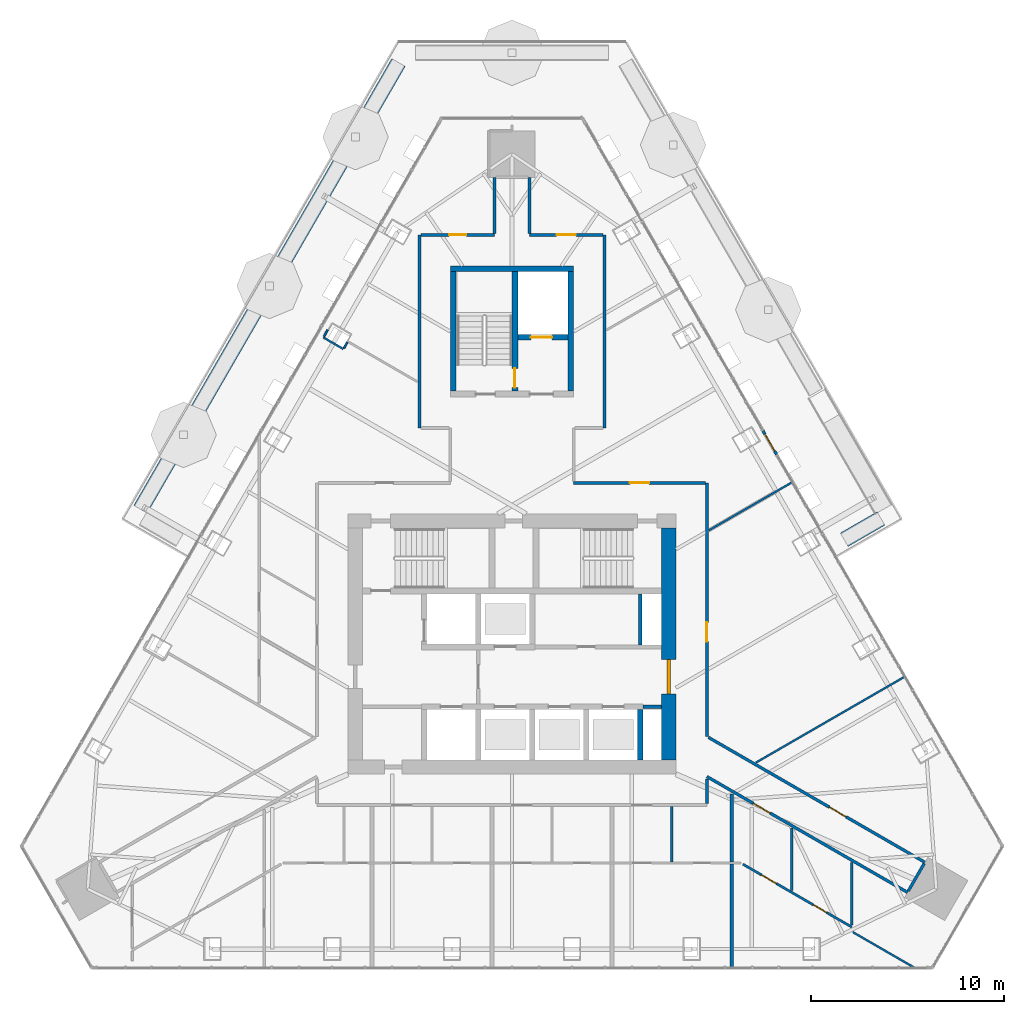
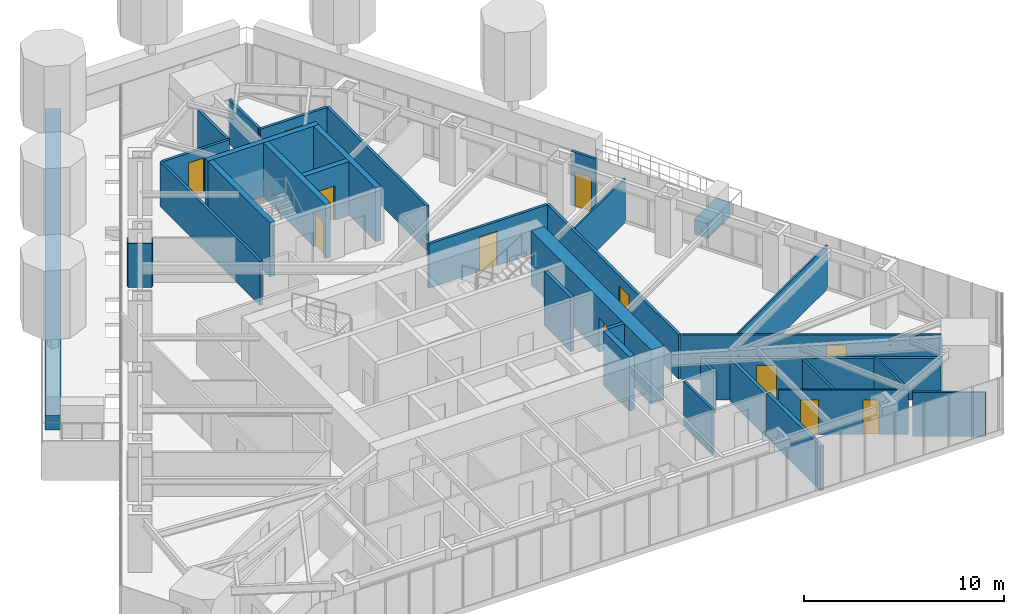
# One storey, part 18 of 22: 36 walls, 12 doors, 12 openings, 1 element without a shape of its own.
"""IFC4 building model written with IfcOpenShell, lengths in metres."""

from ifc_helpers import new_model, si_unit, direction, frame, frame_2d, origin, place, context, subcontext, project, spatial, rectangle, extrude, material, layer, layer_set, type_object, element, fill, aggregate, save


model = new_model("IFC4")

# Units and contexts
model_context = context("Model", 3, precision=1e-05, world=origin(), true_north=direction((0.0, 1.0)))
body_context = subcontext(model_context, "Body", "Model", "MODEL_VIEW")
ifc_project = project(units=[si_unit("LENGTHUNIT", "METRE"), si_unit("AREAUNIT", "SQUARE_METRE"), si_unit("VOLUMEUNIT", "CUBIC_METRE"), si_unit("PLANEANGLEUNIT", "RADIAN"), si_unit("MASSUNIT", "GRAM", prefix="KILO")], contexts=[model_context])

# Site, building, storey
site_placement = place(None, origin())
site = spatial("IfcSite", under=ifc_project, at=site_placement, CompositionType="ELEMENT")
building_placement = place(site_placement, origin())
building = spatial("IfcBuilding", under=site, at=building_placement, Name="Firuza Gate Tower and Library", CompositionType="ELEMENT")
storey_placement = place(building_placement, frame((0.0, 0.0, 295.10009765625)))
storey = spatial("IfcBuildingStorey", under=building, at=storey_placement, Name="L71", CompositionType="ELEMENT", Elevation=295.10009765625)

# Walls
ifc_material_1 = material(Name="Plasterboard on steel studs", Category="steel")
ifc_layer_1 = layer(ifc_material_1, 0.199951171875)
ifc_layer_set_1 = layer_set([ifc_layer_1], Name="Core partition 200 EI 120")
wall_type_1 = type_object("IfcWallType", Name="Core partition 200 EI 120", PredefinedType="PARTITIONING", material=ifc_layer_set_1)
wall_1_placement = place(storey_placement, frame((81.800048828125, 71.75, 0.0), z_axis=(0.0, 0.0, 1.0), x_axis=(1.0, 0.0, 0.0)))
element("IfcWall", 1, at=wall_1_placement, inside=storey, type_object=wall_type_1, Name="Core partition L71 2", PredefinedType="PARTITIONING", context=body_context, shape_type="SweptSolid", body=[
    extrude(rectangle(XDim=0.949951171875, YDim=0.199951171875, at=frame_2d((0.47509765625, 0.0))), origin(), (0.0, 0.0, 1.0), 3.2998046875),
])
wall_2_placement = place(storey_placement, frame((81.64990234375, 74.949951171875, 0.0), z_axis=(0.0, 0.0, 1.0), x_axis=(0.0, 1.0, 0.0)))
element("IfcWall", 2, at=wall_2_placement, inside=storey, type_object=wall_type_1, Name="Core partition L71 5", PredefinedType="PARTITIONING", context=body_context, shape_type="SweptSolid", body=[
    extrude(rectangle(XDim=2.650146484375, YDim=0.199951171875, at=frame_2d((1.3251953125, 0.0))), origin(), (0.0, 0.0, 1.0), 3.2998046875),
])
ifc_material_2 = material(Name="Concrete C60/75", Category="concrete")
ifc_layer_2 = layer(ifc_material_2, 0.300048828125)
ifc_layer_set_2 = layer_set([ifc_layer_2], Name="Core wall 300 C60/75")
wall_type_2 = type_object("IfcWallType", Name="Core wall 300 C60/75", PredefinedType="SHEAR", material=ifc_layer_set_2)
wall_3_placement = place(storey_placement, frame((81.64990234375, 69.0, 0.0), z_axis=(0.0, 0.0, 1.0), x_axis=(0.0, 1.0, 0.0)))
element("IfcWall", 3, at=wall_3_placement, inside=storey, type_object=wall_type_2, Name="Core wall L71 14", PredefinedType="SHEAR", context=body_context, shape_type="SweptSolid", body=[
    extrude(rectangle(XDim=2.60009765625, YDim=0.300048828125, at=frame_2d((1.300048828125, 0.0))), origin(), (0.0, 0.0, 1.0), 3.2998046875),
])
wall_4_placement = place(storey_placement, frame((71.800048828125, 94.449951171875, 0.0), z_axis=(0.0, 0.0, 1.0), x_axis=(1.0, 0.0, 0.0)))
element("IfcWall", 4, at=wall_4_placement, inside=storey, type_object=wall_type_2, Name="Core wall L71 19", PredefinedType="SHEAR", context=body_context, shape_type="SweptSolid", body=[
    extrude(rectangle(XDim=6.39990234375, YDim=0.300048828125, at=frame_2d((3.199951171875, 0.0))), origin(), (0.0, 0.0, 1.0), 3.2998046875),
])
for number, where, z_axis, x_axis, name in (
    (5, (71.949951171875, 88.10009765625, 0.0), (0.0, 0.0, 1.0), (0.0, 1.0, 0.0), "Core wall L71 20"),
    (6, (78.050048828125, 88.10009765625, 0.0), (0.0, 0.0, 1.0), (0.0, 1.0, 0.0), "Core wall L71 21"),
):
    element("IfcWall", number, at=place(storey_placement, frame(where, z_axis=z_axis, x_axis=x_axis)), inside=storey, type_object=wall_type_2, Name=name, PredefinedType="SHEAR", context=body_context, shape_type="SweptSolid", body=[
        extrude(rectangle(XDim=6.199951171875, YDim=0.300048828125, at=frame_2d((3.10009765625, 0.0))), origin(), (0.0, 0.0, 1.0), 3.2998046875),
    ])

# Wall, opening, door
wall_5_placement = place(storey_placement, frame((75.300048828125, 90.89990234375, 0.0), z_axis=(0.0, 0.0, 1.0), x_axis=(1.0, 0.0, 0.0)))
wall_5 = element("IfcWall", 7, at=wall_5_placement, inside=storey, type_object=wall_type_2, Name="Core wall L71 22", PredefinedType="SHEAR", context=body_context, shape_type="SweptSolid", body=[
    extrude(rectangle(XDim=2.599853515625, YDim=0.300048828125, at=frame_2d((1.2998046875, 0.0))), origin(), (0.0, 0.0, 1.0), 3.2998046875),
])
opening_1_placement = place(wall_5_placement, frame((0.675048828125, 0.0, 0.0)))
opening_1 = element("IfcOpeningElement", 8, at=opening_1_placement, cuts=wall_5, Name="Opening LD-SV1-L71", PredefinedType="OPENING", context=body_context, shape_type="SweptSolid", body=[
    extrude(rectangle(XDim=1.10009765625, YDim=2.10009765625, at=frame_2d((0.550048828125, 1.050048828125))), frame((0.0, 0.16015625, 0.0), z_axis=(0.0, -1.0, 0.0), x_axis=(1.0, 0.0, 0.0)), (0.0, 0.0, 1.0), 0.320068359375),
])
ifc_material_3 = material(Name="Stainless steel", Category="steel")
door_type_1 = type_object("IfcDoorType", Name="Lift landing door 1100x2100", OperationType="DOUBLE_DOOR_SLIDING", PredefinedType="DOOR", material=ifc_material_3)
door_1_placement = place(opening_1_placement, origin())
door_1 = element("IfcDoor", 9, at=door_1_placement, inside=storey, type_object=door_type_1, Name="Landing door SV1 L71", OperationType="DOUBLE_DOOR_SLIDING", OverallHeight=2.10009765625, OverallWidth=1.10009765625, PredefinedType="DOOR", context=body_context, shape_type="SweptSolid", body=[
    extrude(rectangle(XDim=1.10009765625, YDim=2.10009765625, at=frame_2d((0.550048828125, 1.050048828125))), frame((0.0, 0.02490234375, 0.0), z_axis=(0.0, -1.0, 0.0), x_axis=(1.0, 0.0, 0.0)), (0.0, 0.0, 1.0), 0.050048828125),
])
fill(opening_1, door_1)

wall_6_placement = place(storey_placement, frame((75.14990234375, 88.10009765625, 0.0), z_axis=(0.0, 0.0, 1.0), x_axis=(0.0, 1.0, 0.0)))
wall_6 = element("IfcWall", 10, at=wall_6_placement, inside=storey, type_object=wall_type_2, Name="Core wall L71 23", PredefinedType="SHEAR", context=body_context, shape_type="SweptSolid", body=[
    extrude(rectangle(XDim=6.199951171875, YDim=0.300048828125, at=frame_2d((3.10009765625, 0.0))), origin(), (0.0, 0.0, 1.0), 3.2998046875),
])
opening_2_placement = place(wall_6_placement, frame((0.18505859375, 0.0, 0.0)))
opening_2 = element("IfcOpeningElement", 11, at=opening_2_placement, cuts=wall_6, Name="Opening L71-K12", PredefinedType="OPENING", context=body_context, shape_type="SweptSolid", body=[
    extrude(rectangle(XDim=1.0, YDim=2.10009765625, at=frame_2d((0.5, 1.050048828125))), frame((0.0, 0.16015625, 0.0), z_axis=(0.0, -1.0, 0.0), x_axis=(1.0, 0.0, 0.0)), (0.0, 0.0, 1.0), 0.320068359375),
])
ifc_material_4 = material(Name="Steel", Category="steel")
door_type_2 = type_object("IfcDoorType", Name="Fire door 1000x2100 FD90", OperationType="NOTDEFINED", PredefinedType="DOOR", material=ifc_material_4)
door_2_placement = place(opening_2_placement, origin())
door_2 = element("IfcDoor", 12, at=door_2_placement, inside=storey, type_object=door_type_2, Name="Door L71-K12", OperationType="SINGLE_SWING_LEFT", OverallHeight=2.10009765625, OverallWidth=1.0, PredefinedType="DOOR", context=body_context, shape_type="SweptSolid", body=[
    extrude(rectangle(XDim=1.0, YDim=2.10009765625, at=frame_2d((0.5, 1.050048828125))), frame((0.0, 0.02490234375, 0.0), z_axis=(0.0, -1.0, 0.0), x_axis=(1.0, 0.0, 0.0)), (0.0, 0.0, 1.0), 0.050048828125),
])
fill(opening_2, door_2)

ifc_material_5 = material(Name="Concrete C60/75", Category="concrete")
ifc_layer_3 = layer(ifc_material_5, 0.75)
ifc_layer_set_3 = layer_set([ifc_layer_3], Name="Core wall 750 C60/75")
wall_type_3 = type_object("IfcWallType", Name="Core wall 750 C60/75", PredefinedType="SHEAR", material=ifc_layer_set_3)
wall_7_placement = place(storey_placement, frame((83.125, 69.0, 0.0), z_axis=(0.0, 0.0, 1.0), x_axis=(0.0, 1.0, 0.0)))
wall_7 = element("IfcWall", 13, at=wall_7_placement, inside=storey, type_object=wall_type_3, Name="Core wall L71 4", PredefinedType="SHEAR", context=body_context, shape_type="SweptSolid", body=[
    extrude(rectangle(XDim=12.0, YDim=0.75, at=frame_2d((6.0, 0.0))), origin(), (0.0, 0.0, 1.0), 3.2998046875),
])
opening_3_placement = place(wall_7_placement, frame((3.39990234375, 0.0, 0.0)))
opening_3 = element("IfcOpeningElement", 14, at=opening_3_placement, cuts=wall_7, Name="Opening L71-K16", PredefinedType="OPENING", context=body_context, shape_type="SweptSolid", body=[
    extrude(rectangle(XDim=1.800048828125, YDim=2.10009765625, at=frame_2d((0.89990234375, 1.050048828125))), frame((0.0, 0.385009765625, 0.0), z_axis=(0.0, -1.0, 0.0), x_axis=(1.0, 0.0, 0.0)), (0.0, 0.0, 1.0), 0.77001953125),
])
ifc_material_6 = material(Name="Steel", Category="steel")
door_type_3 = type_object("IfcDoorType", Name="Fire door 1800x2100 FD30S", OperationType="NOTDEFINED", PredefinedType="DOOR", material=ifc_material_6)
door_3_placement = place(opening_3_placement, origin())
door_3 = element("IfcDoor", 15, at=door_3_placement, inside=storey, type_object=door_type_3, Name="Door L71-K16", OperationType="SINGLE_SWING_LEFT", OverallHeight=2.10009765625, OverallWidth=1.800048828125, PredefinedType="DOOR", context=body_context, shape_type="SweptSolid", body=[
    extrude(rectangle(XDim=1.800048828125, YDim=2.10009765625, at=frame_2d((0.89990234375, 1.050048828125))), frame((0.0, 0.094970703125, 0.0), z_axis=(0.0, -1.0, 0.0), x_axis=(1.0, 0.0, 0.0)), (0.0, 0.0, 1.0), 0.18994140625),
])
fill(opening_3, door_3)

ifc_material_7 = material(Name="Gypsum board partition")
ifc_layer_4 = layer(ifc_material_7, 0.14990234375)
ifc_layer_set_4 = layer_set([ifc_layer_4], Name="Corridor wall 150 double board on steel studs")
wall_type_4 = type_object("IfcWallType", Name="Corridor wall 150 double board on steel studs", PredefinedType="PARTITIONING", material=ifc_layer_set_4)
wall_8_placement = place(storey_placement, frame((78.199951171875, 83.35009765625, 0.0), z_axis=(0.0, 0.0, 1.0), x_axis=(1.0, 0.0, 0.0)))
wall_8 = element("IfcWall", 16, at=wall_8_placement, inside=storey, type_object=wall_type_4, Name="f:L71:w003", PredefinedType="PARTITIONING", context=body_context, shape_type="SweptSolid", body=[
    extrude(rectangle(XDim=6.824462890625, YDim=0.14990234375, at=frame_2d((3.412109375, 0.0))), origin(), (0.0, 0.0, 1.0), 2.699951171875),
])
opening_4_placement = place(wall_8_placement, frame((2.912353515625, 0.0, 0.0)))
opening_4 = element("IfcOpeningElement", 17, at=opening_4_placement, cuts=wall_8, Name="Opening L71-13", PredefinedType="OPENING", context=body_context, shape_type="SweptSolid", body=[
    extrude(rectangle(XDim=1.0, YDim=2.10009765625, at=frame_2d((0.5, 1.050048828125))), frame((0.0, 0.0849609375, 0.0), z_axis=(0.0, -1.0, 0.0), x_axis=(1.0, 0.0, 0.0)), (0.0, 0.0, 1.0), 0.169921875),
])
ifc_material_8 = material(Name="Steel door and timber leaf", Category="steel")
door_type_4 = type_object("IfcDoorType", Name="Fire door 1000 x 2100 steel frame, timber leaf", OperationType="NOTDEFINED", PredefinedType="DOOR", material=ifc_material_8)
door_4_placement = place(opening_4_placement, origin())
door_4 = element("IfcDoor", 18, at=door_4_placement, inside=storey, type_object=door_type_4, Name="f:L71:d013", OperationType="SINGLE_SWING_LEFT", OverallHeight=2.10009765625, OverallWidth=1.0, PredefinedType="DOOR", context=body_context, shape_type="SweptSolid", body=[
    extrude(rectangle(XDim=1.0, YDim=2.10009765625, at=frame_2d((0.5, 1.050048828125))), frame((0.0, 0.02490234375, 0.0), z_axis=(0.0, -1.0, 0.0), x_axis=(1.0, 0.0, 0.0)), (0.0, 0.0, 1.0), 0.050048828125),
])
fill(opening_4, door_4)

wall_9_placement = place(storey_placement, frame((74.10009765625, 96.199951171875, 0.0), z_axis=(0.0, 0.0, 1.0), x_axis=(-1.0, 0.0, 0.0)))
wall_9 = element("IfcWall", 19, at=wall_9_placement, inside=storey, type_object=wall_type_4, Name="f:L71:w006", PredefinedType="PARTITIONING", context=body_context, shape_type="SweptSolid", body=[
    extrude(rectangle(XDim=3.82470703125, YDim=0.14990234375, at=frame_2d((1.912353515625, 0.0))), origin(), (0.0, 0.0, 1.0), 2.699951171875),
])
opening_5_placement = place(wall_9_placement, frame((1.462158203125, 0.0, 0.0)))
opening_5 = element("IfcOpeningElement", 20, at=opening_5_placement, cuts=wall_9, Name="Opening L71-14", PredefinedType="OPENING", context=body_context, shape_type="SweptSolid", body=[
    extrude(rectangle(XDim=0.89990234375, YDim=2.10009765625, at=frame_2d((0.449951171875, 1.050048828125))), frame((0.0, 0.0849609375, 0.0), z_axis=(0.0, -1.0, 0.0), x_axis=(1.0, 0.0, 0.0)), (0.0, 0.0, 1.0), 0.169921875),
])
ifc_material_9 = material(Name="Steel door and timber leaf", Category="steel")
door_type_5 = type_object("IfcDoorType", Name="Fire door 900 x 2100 steel frame, timber leaf", OperationType="NOTDEFINED", PredefinedType="DOOR", material=ifc_material_9)
door_5_placement = place(opening_5_placement, origin())
door_5 = element("IfcDoor", 21, at=door_5_placement, inside=storey, type_object=door_type_5, Name="f:L71:d014", OperationType="SINGLE_SWING_RIGHT", OverallHeight=2.10009765625, OverallWidth=0.89990234375, PredefinedType="DOOR", context=body_context, shape_type="SweptSolid", body=[
    extrude(rectangle(XDim=0.89990234375, YDim=2.10009765625, at=frame_2d((0.449951171875, 1.050048828125))), frame((0.0, 0.02490234375, 0.0), z_axis=(0.0, -1.0, 0.0), x_axis=(1.0, 0.0, 0.0)), (0.0, 0.0, 1.0), 0.050048828125),
])
fill(opening_5, door_5)

wall_10_placement = place(storey_placement, frame((75.89990234375, 96.199951171875, 0.0), z_axis=(0.0, 0.0, 1.0), x_axis=(1.0, 0.0, 0.0)))
wall_10 = element("IfcWall", 22, at=wall_10_placement, inside=storey, type_object=wall_type_4, Name="f:L71:w007", PredefinedType="PARTITIONING", context=body_context, shape_type="SweptSolid", body=[
    extrude(rectangle(XDim=3.82470703125, YDim=0.14990234375, at=frame_2d((1.912353515625, 0.0))), origin(), (0.0, 0.0, 1.0), 2.699951171875),
])
opening_6_placement = place(wall_10_placement, frame((1.412353515625, 0.0, 0.0)))
opening_6 = element("IfcOpeningElement", 23, at=opening_6_placement, cuts=wall_10, Name="Opening L71-15", PredefinedType="OPENING", context=body_context, shape_type="SweptSolid", body=[
    extrude(rectangle(XDim=1.0, YDim=2.10009765625, at=frame_2d((0.5, 1.050048828125))), frame((0.0, 0.0849609375, 0.0), z_axis=(0.0, -1.0, 0.0), x_axis=(1.0, 0.0, 0.0)), (0.0, 0.0, 1.0), 0.169921875),
])
door_6_placement = place(opening_6_placement, origin())
door_6 = element("IfcDoor", 24, at=door_6_placement, inside=storey, type_object=door_type_4, Name="f:L71:d015", OperationType="SINGLE_SWING_RIGHT", OverallHeight=2.10009765625, OverallWidth=1.0, PredefinedType="DOOR", context=body_context, shape_type="SweptSolid", body=[
    extrude(rectangle(XDim=1.0, YDim=2.10009765625, at=frame_2d((0.5, 1.050048828125))), frame((0.0, 0.02490234375, 0.0), z_axis=(0.0, -1.0, 0.0), x_axis=(1.0, 0.0, 0.0)), (0.0, 0.0, 1.0), 0.050048828125),
])
fill(opening_6, door_6)

# Walls
wall_11_placement = place(storey_placement, frame((95.5361328125, 62.19140625, 0.0), z_axis=(0.0, 0.0, 1.0), x_axis=(0.500008692254, 0.866020385251, 0.0)))
element("IfcWall", 25, at=wall_11_placement, inside=storey, type_object=wall_type_4, Name="f:L71:w018", PredefinedType="PARTITIONING", context=body_context, shape_type="SweptSolid", body=[
    extrude(rectangle(XDim=1.64892578125, YDim=0.14990234375, at=frame_2d((0.824462890625, 0.0))), origin(), (0.0, 0.0, 1.0), 2.546875),
])
wall_12_placement = place(storey_placement, frame((85.10009765625, 66.72509765625, 0.0), z_axis=(0.0, 0.0, 1.0), x_axis=(0.0, 1.0, 0.0)))
element("IfcWall", 26, at=wall_12_placement, inside=storey, type_object=wall_type_4, Name="f:L71:w026", PredefinedType="PARTITIONING", context=body_context, shape_type="SweptSolid", body=[
    extrude(rectangle(XDim=1.267822265625, YDim=0.14990234375, at=frame_2d((0.6337890625, 0.0))), origin(), (0.0, 0.0, 1.0), 2.546875),
])

# Wall, opening, door
wall_13_placement = place(storey_placement, frame((85.10009765625, 83.349609375, 0.0), z_axis=(0.0, 0.0, 1.0), x_axis=(0.0, -1.0, 0.0)))
wall_13 = element("IfcWall", 27, at=wall_13_placement, inside=storey, type_object=wall_type_4, Name="f:L71:w027", PredefinedType="PARTITIONING", context=body_context, shape_type="SweptSolid", body=[
    extrude(rectangle(XDim=13.1416015625, YDim=0.14990234375, at=frame_2d((6.57080078125, 0.0))), origin(), (0.0, 0.0, 1.0), 2.699951171875),
])
opening_7_placement = place(wall_13_placement, frame((7.22802734375, 0.0, 0.0)))
opening_7 = element("IfcOpeningElement", 28, at=opening_7_placement, cuts=wall_13, Name="Opening L71-19", PredefinedType="OPENING", context=body_context, shape_type="SweptSolid", body=[
    extrude(rectangle(XDim=1.0, YDim=2.10009765625, at=frame_2d((0.5, 1.050048828125))), frame((0.0, 0.0849609375, 0.0), z_axis=(0.0, -1.0, 0.0), x_axis=(1.0, 0.0, 0.0)), (0.0, 0.0, 1.0), 0.169921875),
])
door_7_placement = place(opening_7_placement, origin())
door_7 = element("IfcDoor", 29, at=door_7_placement, inside=storey, type_object=door_type_4, Name="f:L71:d019", OperationType="SINGLE_SWING_LEFT", OverallHeight=2.10009765625, OverallWidth=1.0, PredefinedType="DOOR", context=body_context, shape_type="SweptSolid", body=[
    extrude(rectangle(XDim=1.0, YDim=2.10009765625, at=frame_2d((0.5, 1.050048828125))), frame((0.0, 0.02490234375, 0.0), z_axis=(0.0, -1.0, 0.0), x_axis=(1.0, 0.0, 0.0)), (0.0, 0.0, 1.0), 0.050048828125),
])
fill(opening_7, door_7)

# Walls
wall_14_placement = place(storey_placement, frame((79.800048828125, 86.200439453125, 0.0), z_axis=(0.0, 0.0, 1.0), x_axis=(0.0, 1.0, 0.0)))
element("IfcWall", 30, at=wall_14_placement, inside=storey, type_object=wall_type_4, Name="f:L71:w030", PredefinedType="PARTITIONING", context=body_context, shape_type="SweptSolid", body=[
    extrude(rectangle(XDim=9.9990234375, YDim=0.14990234375, at=frame_2d((4.99951171875, 0.0))), origin(), (0.0, 0.0, 1.0), 2.699951171875),
])
wall_15_placement = place(storey_placement, frame((75.89990234375, 96.27490234375, 0.0), z_axis=(0.0, 0.0, 1.0), x_axis=(0.0, 1.0, 0.0)))
element("IfcWall", 31, at=wall_15_placement, inside=storey, type_object=wall_type_4, Name="f:L71:w033", PredefinedType="PARTITIONING", context=body_context, shape_type="SweptSolid", body=[
    extrude(rectangle(XDim=2.913818359375, YDim=0.14990234375, at=frame_2d((1.45703125, 0.0))), origin(), (0.0, 0.0, 1.0), 2.699951171875),
])
wall_16_placement = place(storey_placement, frame((74.10009765625, 96.27490234375, 0.0), z_axis=(0.0, 0.0, 1.0), x_axis=(0.0, 1.0, 0.0)))
element("IfcWall", 32, at=wall_16_placement, inside=storey, type_object=wall_type_4, Name="f:L71:w035", PredefinedType="PARTITIONING", context=body_context, shape_type="SweptSolid", body=[
    extrude(rectangle(XDim=2.914306640625, YDim=0.14990234375, at=frame_2d((1.45703125, 0.0))), origin(), (0.0, 0.0, 1.0), 2.699951171875),
])
wall_17_placement = place(storey_placement, frame((70.199951171875, 86.201904296875, 0.0), z_axis=(0.0, 0.0, 1.0), x_axis=(0.0, 1.0, 0.0)))
element("IfcWall", 33, at=wall_17_placement, inside=storey, type_object=wall_type_4, Name="f:L71:w040", PredefinedType="PARTITIONING", context=body_context, shape_type="SweptSolid", body=[
    extrude(rectangle(XDim=9.99755859375, YDim=0.14990234375, at=frame_2d((4.998779296875, 0.0))), origin(), (0.0, 0.0, 1.0), 2.699951171875),
])

# Wall, opening, door
wall_18_placement = place(storey_placement, frame((85.175048828125, 70.164794921875, 0.0), z_axis=(0.0, 0.0, 1.0), x_axis=(0.866023706001, -0.500002940635, 0.0)))
wall_18 = element("IfcWall", 34, at=wall_18_placement, inside=storey, type_object=wall_type_4, Name="f:L71:w052", PredefinedType="PARTITIONING", context=body_context, shape_type="SweptSolid", body=[
    extrude(rectangle(XDim=12.95947265625, YDim=0.14990234375, at=frame_2d((6.479736328125, 0.0))), origin(), (0.0, 0.0, 1.0), 2.699951171875),
])
opening_8_placement = place(wall_18_placement, frame((7.24560546875, 0.0, 0.0)))
opening_8 = element("IfcOpeningElement", 35, at=opening_8_placement, cuts=wall_18, Name="Opening L71-24", PredefinedType="OPENING", context=body_context, shape_type="SweptSolid", body=[
    extrude(rectangle(XDim=1.0, YDim=2.10009765625, at=frame_2d((0.5, 1.050048828125))), frame((0.0, 0.0849609375, 0.0), z_axis=(0.0, -1.0, 0.0), x_axis=(1.0, 0.0, 0.0)), (0.0, 0.0, 1.0), 0.169921875),
])
door_8_placement = place(opening_8_placement, origin())
door_8 = element("IfcDoor", 36, at=door_8_placement, inside=storey, type_object=door_type_4, Name="f:L71:d024", OperationType="SINGLE_SWING_RIGHT", OverallHeight=2.10009765625, OverallWidth=1.0, PredefinedType="DOOR", context=body_context, shape_type="SweptSolid", body=[
    extrude(rectangle(XDim=1.0, YDim=2.10009765625, at=frame_2d((0.5, 1.050048828125))), frame((0.0, 0.02490234375, 0.0), z_axis=(0.0, -1.0, 0.0), x_axis=(1.0, 0.0, 0.0)), (0.0, 0.0, 1.0), 0.050048828125),
])
fill(opening_8, door_8)

wall_19_placement = place(storey_placement, frame((95.498291015625, 62.126220703125, 0.0), z_axis=(0.0, 0.0, 1.0), x_axis=(-0.866024746207, 0.500001138955, 0.0)))
wall_19 = element("IfcWall", 37, at=wall_19_placement, inside=storey, type_object=wall_type_4, Name="f:L71:w053", PredefinedType="PARTITIONING", context=body_context, shape_type="SweptSolid", body=[
    extrude(rectangle(XDim=12.0068359375, YDim=0.14990234375, at=frame_2d((6.00341796875, 0.0))), origin(), (0.0, 0.0, 1.0), 2.546875),
])
opening_9_placement = place(wall_19_placement, frame((8.221923828125, 0.0, 0.0)))
opening_9 = element("IfcOpeningElement", 38, at=opening_9_placement, cuts=wall_19, Name="Opening L71-25", PredefinedType="OPENING", context=body_context, shape_type="SweptSolid", body=[
    extrude(rectangle(XDim=1.0, YDim=2.10009765625, at=frame_2d((0.5, 1.050048828125))), frame((0.0, 0.0849609375, 0.0), z_axis=(0.0, -1.0, 0.0), x_axis=(1.0, 0.0, 0.0)), (0.0, 0.0, 1.0), 0.169921875),
])
door_9_placement = place(opening_9_placement, origin())
door_9 = element("IfcDoor", 39, at=door_9_placement, inside=storey, type_object=door_type_4, Name="f:L71:d025", OperationType="SINGLE_SWING_LEFT", OverallHeight=2.10009765625, OverallWidth=1.0, PredefinedType="DOOR", context=body_context, shape_type="SweptSolid", body=[
    extrude(rectangle(XDim=1.0, YDim=2.10009765625, at=frame_2d((0.5, 1.050048828125))), frame((0.0, 0.02490234375, 0.0), z_axis=(0.0, -1.0, 0.0), x_axis=(1.0, 0.0, 0.0)), (0.0, 0.0, 1.0), 0.050048828125),
])
fill(opening_9, door_9)

# Walls
ifc_material_10 = material(Name="Gypsum board partition")
ifc_layer_5 = layer(ifc_material_10, 0.199951171875)
ifc_layer_set_5 = layer_set([ifc_layer_5], Name="Demising wall 200 acoustic double stud")
wall_type_5 = type_object("IfcWallType", Name="Demising wall 200 acoustic double stud", PredefinedType="PARTITIONING", material=ifc_layer_set_5)
wall_20_placement = place(storey_placement, frame((86.39111328125, 58.2275390625, 0.0), z_axis=(0.0, 0.0, 1.0), x_axis=(0.0, 1.0, 0.0)))
element("IfcWall", 40, at=wall_20_placement, inside=storey, type_object=wall_type_5, Name="f:L71:w025", PredefinedType="PARTITIONING", context=body_context, shape_type="SweptSolid", body=[
    extrude(rectangle(XDim=5.362548828125, YDim=0.199951171875, at=frame_2d((2.68115234375, 0.0))), origin(), (0.0, 0.0, 1.0), 2.699951171875),
])
wall_21_placement = place(storey_placement, frame((86.39111328125, 63.7099609375, 0.0), z_axis=(0.0, 0.0, 1.0), x_axis=(0.0, 1.0, 0.0)))
element("IfcWall", 41, at=wall_21_placement, inside=storey, type_object=wall_type_5, Name="f:L71:w060", PredefinedType="PARTITIONING", context=body_context, shape_type="SweptSolid", body=[
    extrude(rectangle(XDim=3.527587890625, YDim=0.199951171875, at=frame_2d((1.763671875, 0.0))), origin(), (0.0, 0.0, 1.0), 2.546875),
])
ifc_material_11 = material(Name="Gypsum board partition")
ifc_layer_6 = layer(ifc_material_11, 0.10009765625)
ifc_layer_set_6 = layer_set([ifc_layer_6], Name="Partition 100 gypsum board on steel studs")
wall_type_6 = type_object("IfcWallType", Name="Partition 100 gypsum board on steel studs", PredefinedType="PARTITIONING", material=ifc_layer_set_6)
wall_22_placement = place(storey_placement, frame((87.644775390625, 68.855224609375, 0.0), z_axis=(0.0, 0.0, 1.0), x_axis=(0.866023307551, 0.500003630766, 0.0)))
element("IfcWall", 42, at=wall_22_placement, inside=storey, type_object=wall_type_6, Name="f:L71:w010", PredefinedType="PARTITIONING", context=body_context, shape_type="SweptSolid", body=[
    extrude(rectangle(XDim=8.89404296875, YDim=0.10009765625, at=frame_2d((4.447021484375, 0.0))), origin(), (0.0, 0.0, 1.0), 2.68798828125),
])
wall_23_placement = place(storey_placement, frame((85.200927734375, 80.8896484375, 0.0), z_axis=(0.0, 0.0, 1.0), x_axis=(0.866025995923, 0.499998974385, 0.0)))
element("IfcWall", 43, at=wall_23_placement, inside=storey, type_object=wall_type_6, Name="f:L71:w014", PredefinedType="PARTITIONING", context=body_context, shape_type="SweptSolid", body=[
    extrude(rectangle(XDim=4.9931640625, YDim=0.10009765625, at=frame_2d((2.49658203125, 0.0))), origin(), (0.0, 0.0, 1.0), 2.68798828125),
])
wall_24_placement = place(storey_placement, frame((66.28759765625, 90.33349609375, 0.0), z_axis=(0.0, 0.0, 1.0), x_axis=(0.499620918551, 0.866244155967, 0.0)))
element("IfcWall", 44, at=wall_24_placement, inside=storey, type_object=wall_type_6, Name="f:L71:w020", PredefinedType="PARTITIONING", context=body_context, shape_type="SweptSolid", body=[
    extrude(rectangle(XDim=0.346923828125, YDim=0.10009765625, at=frame_2d((0.17333984375, 0.0))), origin(), (0.0, 0.0, 1.0), 2.699951171875),
])
wall_25_placement = place(storey_placement, frame((65.250732421875, 90.937744140625, 0.0), z_axis=(0.0, 0.0, 1.0), x_axis=(0.500225704022, 0.865895054285, 0.0)))
element("IfcWall", 45, at=wall_25_placement, inside=storey, type_object=wall_type_6, Name="f:L71:w022", PredefinedType="PARTITIONING", context=body_context, shape_type="SweptSolid", body=[
    extrude(rectangle(XDim=0.391845703125, YDim=0.10009765625, at=frame_2d((0.19580078125, 0.0))), origin(), (0.0, 0.0, 1.0), 2.699951171875),
])
wall_26_placement = place(storey_placement, frame((66.258056640625, 90.28955078125, 0.0), z_axis=(0.0, 0.0, 1.0), x_axis=(-0.866032345022, 0.499987977232, 0.0)))
element("IfcWall", 46, at=wall_26_placement, inside=storey, type_object=wall_type_6, Name="f:L71:w051", PredefinedType="PARTITIONING", context=body_context, shape_type="SweptSolid", body=[
    extrude(rectangle(XDim=1.19384765625, YDim=0.10009765625, at=frame_2d((0.596923828125, 0.0))), origin(), (0.0, 0.0, 1.0), 2.68798828125),
])
wall_27_placement = place(storey_placement, frame((95.850830078125, 58.2275390625, 0.0), z_axis=(0.0, 0.0, 1.0), x_axis=(-0.866025356753, 0.50000008146, 0.0)))
element("IfcWall", 47, at=wall_27_placement, inside=storey, type_object=wall_type_6, Name="f:L71:w056", PredefinedType="PARTITIONING", context=body_context, shape_type="SweptSolid", body=[
    extrude(rectangle(XDim=3.67919921875, YDim=0.10009765625, at=frame_2d((1.839599609375, 0.0))), origin(), (0.0, 0.0, 1.0), 2.699951171875),
])
ifc_material_12 = material(Name="Concrete C40/50", Category="concrete")
ifc_layer_7 = layer(ifc_material_12, 0.800048828125)
ifc_layer_set_7 = layer_set([ifc_layer_7], Name="Planter wall 800")
wall_type_7 = type_object("IfcWallType", Name="Planter wall 800", PredefinedType="SOLIDWALL", material=ifc_layer_set_7)
wall_28_placement = place(storey_placement, frame((92.216796875, 80.404296875, 0.0), z_axis=(0.0, 0.0, 1.0), x_axis=(0.866008176907, 0.50002983664, 0.0)))
element("IfcWall", 48, at=wall_28_placement, inside=storey, type_object=wall_type_7, Name="PLANTER L71 1", PredefinedType="SOLIDWALL", context=body_context, shape_type="SweptSolid", body=[
    extrude(rectangle(XDim=2.199951171875, YDim=0.800048828125, at=frame_2d((1.10009765625, 0.0))), origin(), (0.0, 0.0, 1.0), 0.89990234375),
])
wall_29_placement = place(storey_placement, frame((69.116943359375, 105.135009765625, 0.0), z_axis=(0.0, 0.0, 1.0), x_axis=(-0.500000972034, -0.86602484258, 0.0)))
element("IfcWall", 49, at=wall_29_placement, inside=storey, type_object=wall_type_7, Name="PLANTER L71 4", PredefinedType="SOLIDWALL", context=body_context, shape_type="SweptSolid", body=[
    extrude(rectangle(XDim=26.734375, YDim=0.800048828125, at=frame_2d((13.3671875, 0.0))), origin(), (0.0, 0.0, 1.0), 0.89990234375),
])

# Curtain wall, wall, opening, door
ifc_material_13 = material(Name="Aluminium 6063-T6", Category="aluminium")
ifc_layer_8 = layer(ifc_material_13, 0.14990234375)
ifc_layer_set_8 = layer_set([ifc_layer_8], Name="Unitised curtain wall, residences")
curtain_wall_type = type_object("IfcCurtainWallType", Name="Unitised curtain wall, residences", PredefinedType="NOTDEFINED", material=ifc_layer_set_8)
curtain_wall_placement = place(storey_placement, origin())
curtain_wall = element("IfcCurtainWall", 50, at=curtain_wall_placement, inside=storey, type_object=curtain_wall_type, Name="CW3 L71 E face", PredefinedType="NOTDEFINED")
ifc_material_14 = material(Name="Aluminium 6063-T6", Category="aluminium")
ifc_layer_9 = layer(ifc_material_14, 0.14990234375)
ifc_layer_set_9 = layer_set([ifc_layer_9], Name="Terrace door wall 150")
wall_type_8 = type_object("IfcWallType", Name="Terrace door wall 150", PredefinedType="SOLIDWALL", material=ifc_layer_set_9)
wall_30_placement = place(storey_placement, frame((88.001953125, 86.054931640625, 0.0), z_axis=(0.0, 0.0, 1.0), x_axis=(0.499841041413, -0.866117159118, 0.0)))
wall_30 = element("IfcWall", 51, at=wall_30_placement, type_object=wall_type_8, Name="Terrace door wall", PredefinedType="SOLIDWALL", context=body_context, shape_type="SweptSolid", body=[
    extrude(rectangle(XDim=1.42578125, YDim=0.14990234375, at=frame_2d((0.712890625, 0.0))), origin(), (0.0, 0.0, 1.0), 3.2998046875),
])
opening_10_placement = place(wall_30_placement, frame((0.212890625, 0.0, 0.0)))
opening_10 = element("IfcOpeningElement", 52, at=opening_10_placement, cuts=wall_30, Name="Opening DR6", PredefinedType="OPENING", context=body_context, shape_type="SweptSolid", body=[
    extrude(rectangle(XDim=1.0, YDim=2.10009765625, at=frame_2d((0.5, 1.050048828125))), frame((0.0, 0.0849609375, 0.0), z_axis=(0.0, -1.0, 0.0), x_axis=(1.0, 0.0, 0.0)), (0.0, 0.0, 1.0), 0.169921875),
])
ifc_material_15 = material(Name="Aluminium 6063-T6 and glass", Category="aluminium")
door_type_6 = type_object("IfcDoorType", Name="Terrace door 1000x2100", OperationType="NOTDEFINED", PredefinedType="DOOR", material=ifc_material_15)
door_10_placement = place(opening_10_placement, origin())
door_10 = element("IfcDoor", 53, at=door_10_placement, inside=storey, type_object=door_type_6, Name="Terrace door", OperationType="SINGLE_SWING_LEFT", OverallHeight=2.10009765625, OverallWidth=1.0, PredefinedType="DOOR", context=body_context, shape_type="SweptSolid", body=[
    extrude(rectangle(XDim=1.0, YDim=2.10009765625, at=frame_2d((0.5, 1.050048828125))), frame((0.0, 0.02490234375, 0.0), z_axis=(0.0, -1.0, 0.0), x_axis=(1.0, 0.0, 0.0)), (0.0, 0.0, 1.0), 0.050048828125),
])
fill(opening_10, door_10)
aggregate(curtain_wall, [wall_30])

# Walls
ifc_material_16 = material(Name="Gypsum board partition")
ifc_layer_10 = layer(ifc_material_16, 0.1201171875)
ifc_layer_set_10 = layer_set([ifc_layer_10], Name="Wet-area partition 120 moisture-resistant board")
wall_type_9 = type_object("IfcWallType", Name="Wet-area partition 120 moisture-resistant board", PredefinedType="PARTITIONING", material=ifc_layer_set_10)
wall_31_placement = place(storey_placement, frame((92.60400390625, 60.44189453125, 0.0), z_axis=(0.0, 0.0, 1.0), x_axis=(0.0, 1.0, 0.0)))
element("IfcWall", 54, at=wall_31_placement, inside=storey, type_object=wall_type_9, Name="f:L71:w023", PredefinedType="PARTITIONING", context=body_context, shape_type="SweptSolid", body=[
    extrude(rectangle(XDim=3.228271484375, YDim=0.1201171875, at=frame_2d((1.6142578125, 0.0))), origin(), (0.0, 0.0, 1.0), 2.699951171875),
])
wall_32_placement = place(storey_placement, frame((89.498046875, 62.235595703125, 0.0), z_axis=(0.0, 0.0, 1.0), x_axis=(0.0, 1.0, 0.0)))
element("IfcWall", 55, at=wall_32_placement, inside=storey, type_object=wall_type_9, Name="f:L71:w024", PredefinedType="PARTITIONING", context=body_context, shape_type="SweptSolid", body=[
    extrude(rectangle(XDim=3.228271484375, YDim=0.1201171875, at=frame_2d((1.6142578125, 0.0))), origin(), (0.0, 0.0, 1.0), 2.546875),
])
wall_33_placement = place(storey_placement, frame((83.283935546875, 63.7099609375, 0.0), z_axis=(0.0, 0.0, 1.0), x_axis=(0.0, 1.0, 0.0)))
element("IfcWall", 56, at=wall_33_placement, inside=storey, type_object=wall_type_9, Name="f:L71:w028", PredefinedType="PARTITIONING", context=body_context, shape_type="SweptSolid", body=[
    extrude(rectangle(XDim=2.864990234375, YDim=0.1201171875, at=frame_2d((1.4326171875, 0.0))), origin(), (0.0, 0.0, 1.0), 2.699951171875),
])

# Wall, openings, doors
wall_34_placement = place(storey_placement, frame((86.962646484375, 63.590087890625, 0.0), z_axis=(0.0, 0.0, 1.0), x_axis=(0.866025198843, -0.500000354968, 0.0)))
wall_34 = element("IfcWall", 57, at=wall_34_placement, inside=storey, type_object=wall_type_9, Name="f:L71:w055", PredefinedType="PARTITIONING", context=body_context, shape_type="SweptSolid", body=[
    extrude(rectangle(XDim=6.5146484375, YDim=0.1201171875, at=frame_2d((3.25732421875, 0.0))), origin(), (0.0, 0.0, 1.0), 2.699951171875),
])
opening_11_placement = place(wall_34_placement, frame((1.115234375, 0.0, 0.0)))
opening_11 = element("IfcOpeningElement", 58, at=opening_11_placement, cuts=wall_34, Name="Opening L71-26", PredefinedType="OPENING", context=body_context, shape_type="SweptSolid", body=[
    extrude(rectangle(XDim=0.89990234375, YDim=2.10009765625, at=frame_2d((0.449951171875, 1.050048828125))), frame((0.0, 0.070068359375, 0.0), z_axis=(0.0, -1.0, 0.0), x_axis=(1.0, 0.0, 0.0)), (0.0, 0.0, 1.0), 0.14013671875),
])
opening_12_placement = place(wall_34_placement, frame((4.220947265625, 0.0, 0.0)))
opening_12 = element("IfcOpeningElement", 59, at=opening_12_placement, cuts=wall_34, Name="Opening L71-27", PredefinedType="OPENING", context=body_context, shape_type="SweptSolid", body=[
    extrude(rectangle(XDim=0.800048828125, YDim=2.10009765625, at=frame_2d((0.39990234375, 1.050048828125))), frame((0.0, 0.070068359375, 0.0), z_axis=(0.0, -1.0, 0.0), x_axis=(1.0, 0.0, 0.0)), (0.0, 0.0, 1.0), 0.14013671875),
])
ifc_material_17 = material(Name="Timber door", Category="wood")
door_type_7 = type_object("IfcDoorType", Name="Door 800 x 2100 timber leaf", OperationType="NOTDEFINED", PredefinedType="DOOR", material=ifc_material_17)
door_11_placement = place(opening_12_placement, origin())
door_11 = element("IfcDoor", 60, at=door_11_placement, inside=storey, type_object=door_type_7, Name="f:L71:d027", OperationType="SINGLE_SWING_LEFT", OverallHeight=2.10009765625, OverallWidth=0.800048828125, PredefinedType="DOOR", context=body_context, shape_type="SweptSolid", body=[
    extrude(rectangle(XDim=0.800048828125, YDim=2.10009765625, at=frame_2d((0.39990234375, 1.050048828125))), frame((0.0, 0.02490234375, 0.0), z_axis=(0.0, -1.0, 0.0), x_axis=(1.0, 0.0, 0.0)), (0.0, 0.0, 1.0), 0.050048828125),
])
fill(opening_12, door_11)
ifc_material_18 = material(Name="Timber door", Category="wood")
door_type_8 = type_object("IfcDoorType", Name="Door 900 x 2100 timber leaf", OperationType="NOTDEFINED", PredefinedType="DOOR", material=ifc_material_18)
door_12_placement = place(opening_11_placement, origin())
door_12 = element("IfcDoor", 61, at=door_12_placement, inside=storey, type_object=door_type_8, Name="f:L71:d026", OperationType="SINGLE_SWING_LEFT", OverallHeight=2.10009765625, OverallWidth=0.89990234375, PredefinedType="DOOR", context=body_context, shape_type="SweptSolid", body=[
    extrude(rectangle(XDim=0.89990234375, YDim=2.10009765625, at=frame_2d((0.449951171875, 1.050048828125))), frame((0.0, 0.02490234375, 0.0), z_axis=(0.0, -1.0, 0.0), x_axis=(1.0, 0.0, 0.0)), (0.0, 0.0, 1.0), 0.050048828125),
])
fill(opening_11, door_12)

save(model, "model.ifc")
